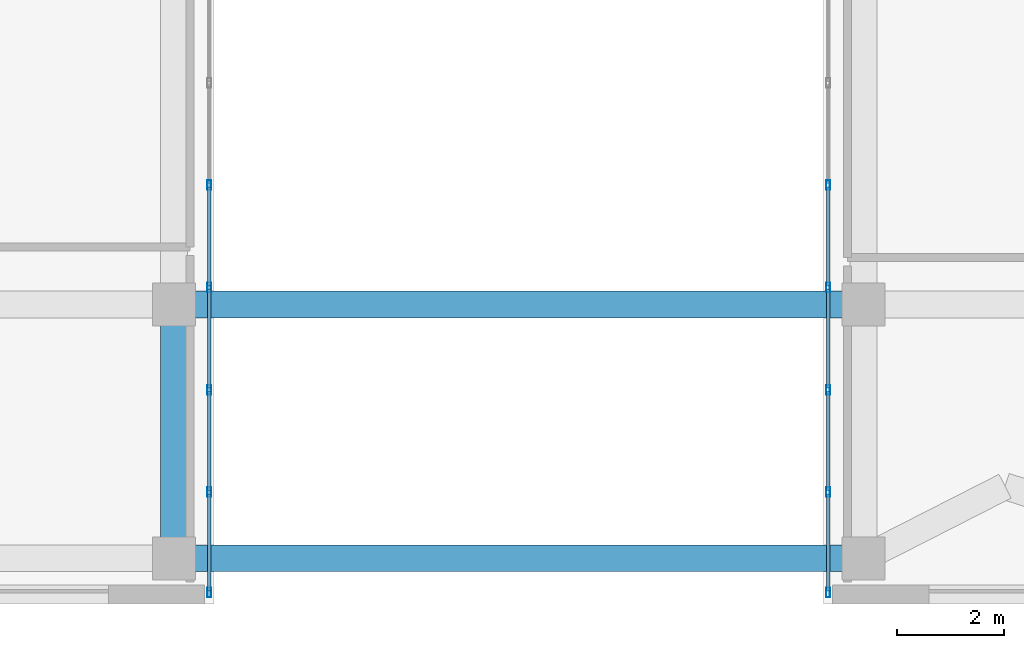
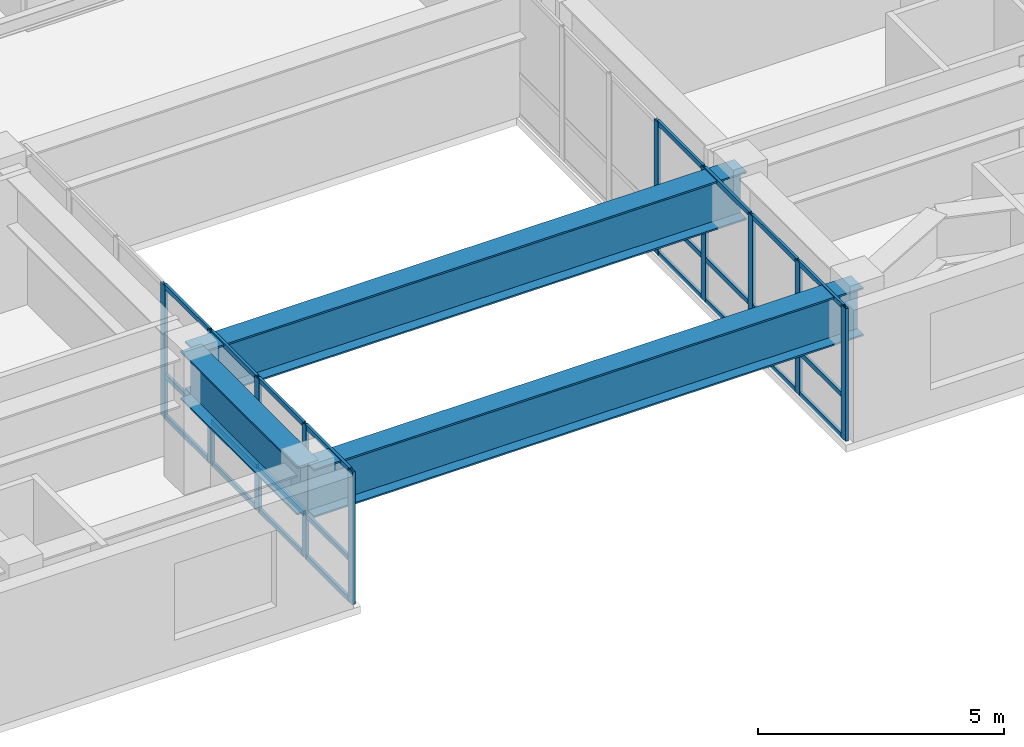
# One storey, part 3 of 13: 34 members, 3 beams, 2 elements without a shape of their own.
"""IFC4 building model written with IfcOpenShell, lengths in metres."""

from ifc_helpers import new_model, si_unit, direction, frame, origin, origin_2d, place, context, subcontext, project, spatial, hollow_rectangle, i_section, extrude, source, transform, mapped, material, layer, layer_set, material_profile, profile_set, type_object, type_shapes, element, aggregate, save


model = new_model("IFC4")

# Units and contexts
model_context = context("Model", 3, precision=1e-05, world=origin(), true_north=direction((0.0, 1.0)))
body_context = subcontext(model_context, "Body", "Model", "MODEL_VIEW")
ifc_project = project(units=[si_unit("LENGTHUNIT", "METRE"), si_unit("AREAUNIT", "SQUARE_METRE"), si_unit("VOLUMEUNIT", "CUBIC_METRE"), si_unit("PLANEANGLEUNIT", "RADIAN"), si_unit("MASSUNIT", "GRAM", prefix="KILO")], contexts=[model_context])

# Site, building, storey
site_placement = place(None, origin())
site = spatial("IfcSite", under=ifc_project, at=site_placement, CompositionType="ELEMENT")
building_placement = place(site_placement, origin())
building = spatial("IfcBuilding", under=site, at=building_placement, Name="Tolvann Quenvar Hotel", CompositionType="ELEMENT")
storey_placement = place(building_placement, frame((0.0, 0.0, 201.75)))
storey = spatial("IfcBuildingStorey", under=building, at=storey_placement, Name="L53", CompositionType="ELEMENT", Elevation=201.75)

# Beams
ifc_material_1 = material(Name="Steel Grade 350", Category="steel")
ifc_material_profile_1 = material_profile(ifc_material_1, i_section(OverallWidth=0.5, OverallDepth=1.199951171875, WebThickness=0.01611328125, FlangeThickness=0.0400390625, at=origin_2d()), Name="1200WB455")
ifc_profile_set_1 = profile_set([ifc_material_profile_1], Name="Steel Grade 350")
beam_type = type_object("IfcBeamType", Name="BM_TG_1200WB455", PredefinedType="USERDEFINED", material=ifc_profile_set_1)
shared_shape_1 = source(origin(), body_context, "Body", "SweptSolid", [
    extrude(i_section(OverallWidth=0.5, OverallDepth=1.199951171875, WebThickness=0.01611328125, FlangeThickness=0.0400390625, at=origin_2d()), origin(), (0.0, 0.0, 1.0), 12.89990234375),
])
for number, where, z_axis, x_axis, name in (
    (1, (22.050048828125, 3.449951171875, 2.68994140625), (1.0, 0.0, 0.0), (0.0, 1.0, 0.0), "Setback Transfer Girder L53-M2"),
    (2, (22.050048828125, 8.199951171875, 2.68994140625), (1.0, 0.0, 0.0), (0.0, 1.0, 0.0), "Setback Transfer Girder L53-M3"),
):
    element("IfcBeam", number, at=place(storey_placement, frame(where, z_axis=z_axis, x_axis=x_axis)), inside=storey, type_object=beam_type, Name=name, ObjectType="TRANSFER GIRDER", PredefinedType="USERDEFINED", context=body_context, shape_type="MappedRepresentation", body=[
        mapped(shared_shape_1, transform((0.0, 0.0, 0.0), x_axis=(1.0, 0.0, 0.0), y_axis=(0.0, 1.0, 0.0), z_axis=(0.0, 0.0, 1.0), scale=1.0)),
    ])
shared_shape_2 = source(origin(), body_context, "Body", "SweptSolid", [
    extrude(i_section(OverallWidth=0.5, OverallDepth=1.199951171875, WebThickness=0.01611328125, FlangeThickness=0.0400390625, at=origin_2d()), origin(), (0.0, 0.0, 1.0), 4.75),
])
type_shapes(beam_type, [shared_shape_1, shared_shape_2])
beam_placement = place(storey_placement, frame((22.050048828125, 3.449951171875, 2.68994140625), z_axis=(0.0, 1.0, 0.0), x_axis=(-1.0, 0.0, 0.0)))
element("IfcBeam", 3, at=beam_placement, inside=storey, type_object=beam_type, Name="BM-L53-NS-E2-E3", ObjectType="TRANSFER GIRDER", PredefinedType="USERDEFINED", context=body_context, shape_type="MappedRepresentation", body=[
    mapped(shared_shape_2, transform((0.0, 0.0, 0.0), x_axis=(1.0, 0.0, 0.0), y_axis=(0.0, 1.0, 0.0), z_axis=(0.0, 0.0, 1.0), scale=1.0)),
])

# Curtain wall, members
ifc_material_2 = material(Name="Thermally broken anodised architectural aluminium 6063-T6 and laminated low-E glass", Category="aluminium")
ifc_layer = layer(ifc_material_2, 0.179931640625)
ifc_layer_set = layer_set([ifc_layer], Name="Thermally broken anodised architectural aluminium 6063-T6 and laminated low-E glass")
curtain_wall_type = type_object("IfcCurtainWallType", Name="CW_SYS_SLOT_03", PredefinedType="USERDEFINED", material=ifc_layer_set)
curtain_wall_1_placement = place(storey_placement, origin())
curtain_wall_1 = element("IfcCurtainWall", 4, at=curtain_wall_1_placement, inside=storey, type_object=curtain_wall_type, Name="Curtain Wall CW-SLOT-03 (CWR-L53-E05)", ObjectType="UNITISED CURTAIN WALL", PredefinedType="USERDEFINED")
ifc_material_3 = material(Name="Anodised architectural aluminium 6063-T6 framing", Category="aluminium")
ifc_material_profile_2 = material_profile(ifc_material_3, hollow_rectangle(XDim=0.070068359375, YDim=0.179931640625, WallThickness=0.00390625, at=origin_2d()), Name="180x70x4RHS")
ifc_profile_set_2 = profile_set([ifc_material_profile_2], Name="Anodised architectural aluminium 6063-T6 framing")
member_type_1 = type_object("IfcMemberType", Name="CW_MULL_180x70", PredefinedType="MULLION", material=ifc_profile_set_2)
shared_shape_3 = source(origin(), body_context, "Body", "SweptSolid", [
    extrude(hollow_rectangle(XDim=0.070068359375, YDim=0.179931640625, WallThickness=0.00390625, at=origin_2d()), origin(), (0.0, 0.0, 1.0), 3.2900390625),
])
type_shapes(member_type_1, [shared_shape_3])
member_1_placement = place(storey_placement, frame((22.7099609375, 2.81005859375, 0.0), z_axis=(0.0, 0.0, 1.0), x_axis=(-1.0, 0.0, 0.0)))
member_1 = element("IfcMember", 5, at=member_1_placement, type_object=member_type_1, Name="CW-SLOT-03 mullion 1", PredefinedType="MULLION", context=body_context, shape_type="MappedRepresentation", body=[
    mapped(shared_shape_3, transform((0.0, 0.0, 0.0), x_axis=(1.0, 0.0, 0.0), y_axis=(0.0, 1.0, 0.0), z_axis=(0.0, 0.0, 1.0), scale=1.0)),
])
member_2_placement = place(storey_placement, frame((22.7099609375, 4.689208984375, 0.0), z_axis=(0.0, 0.0, 1.0), x_axis=(-1.0, 0.0, 0.0)))
member_2 = element("IfcMember", 6, at=member_2_placement, type_object=member_type_1, Name="CW-SLOT-03 mullion 2", PredefinedType="MULLION", context=body_context, shape_type="MappedRepresentation", body=[
    mapped(shared_shape_3, transform((0.0, 0.0, 0.0), x_axis=(1.0, 0.0, 0.0), y_axis=(0.0, 1.0, 0.0), z_axis=(0.0, 0.0, 1.0), scale=1.0)),
])
member_3_placement = place(storey_placement, frame((22.7099609375, 6.603515625, 0.0), z_axis=(0.0, 0.0, 1.0), x_axis=(-1.0, 0.0, 0.0)))
member_3 = element("IfcMember", 7, at=member_3_placement, type_object=member_type_1, Name="CW-SLOT-03 mullion 3", PredefinedType="MULLION", context=body_context, shape_type="MappedRepresentation", body=[
    mapped(shared_shape_3, transform((0.0, 0.0, 0.0), x_axis=(1.0, 0.0, 0.0), y_axis=(0.0, 1.0, 0.0), z_axis=(0.0, 0.0, 1.0), scale=1.0)),
])
member_4_placement = place(storey_placement, frame((22.7099609375, 8.517822265625, 0.0), z_axis=(0.0, 0.0, 1.0), x_axis=(-1.0, 0.0, 0.0)))
member_4 = element("IfcMember", 8, at=member_4_placement, type_object=member_type_1, Name="CW-SLOT-03 mullion 4", PredefinedType="MULLION", context=body_context, shape_type="MappedRepresentation", body=[
    mapped(shared_shape_3, transform((0.0, 0.0, 0.0), x_axis=(1.0, 0.0, 0.0), y_axis=(0.0, 1.0, 0.0), z_axis=(0.0, 0.0, 1.0), scale=1.0)),
])
member_5_placement = place(storey_placement, frame((22.7099609375, 10.43212890625, 0.0), z_axis=(0.0, 0.0, 1.0), x_axis=(-1.0, 0.0, 0.0)))
member_5 = element("IfcMember", 9, at=member_5_placement, type_object=member_type_1, Name="CW-SLOT-03 mullion 5", PredefinedType="MULLION", context=body_context, shape_type="MappedRepresentation", body=[
    mapped(shared_shape_3, transform((0.0, 0.0, 0.0), x_axis=(1.0, 0.0, 0.0), y_axis=(0.0, 1.0, 0.0), z_axis=(0.0, 0.0, 1.0), scale=1.0)),
])

curtain_wall_2_placement = place(storey_placement, origin())
curtain_wall_2 = element("IfcCurtainWall", 10, at=curtain_wall_2_placement, inside=storey, type_object=curtain_wall_type, Name="Curtain Wall CW-SLOT-03 (CWR-L53-E07)", ObjectType="UNITISED CURTAIN WALL", PredefinedType="USERDEFINED")
member_6_placement = place(storey_placement, frame((34.2900390625, 10.43212890625, 0.0), z_axis=(0.0, 0.0, 1.0), x_axis=(1.0, 0.0, 0.0)))
member_6 = element("IfcMember", 11, at=member_6_placement, type_object=member_type_1, Name="CW-SLOT-03 mullion 4", PredefinedType="MULLION", context=body_context, shape_type="MappedRepresentation", body=[
    mapped(shared_shape_3, transform((0.0, 0.0, 0.0), x_axis=(1.0, 0.0, 0.0), y_axis=(0.0, 1.0, 0.0), z_axis=(0.0, 0.0, 1.0), scale=1.0)),
])
member_7_placement = place(storey_placement, frame((34.2900390625, 8.517822265625, 0.0), z_axis=(0.0, 0.0, 1.0), x_axis=(1.0, 0.0, 0.0)))
member_7 = element("IfcMember", 12, at=member_7_placement, type_object=member_type_1, Name="CW-SLOT-03 mullion 5", PredefinedType="MULLION", context=body_context, shape_type="MappedRepresentation", body=[
    mapped(shared_shape_3, transform((0.0, 0.0, 0.0), x_axis=(1.0, 0.0, 0.0), y_axis=(0.0, 1.0, 0.0), z_axis=(0.0, 0.0, 1.0), scale=1.0)),
])
member_8_placement = place(storey_placement, frame((34.2900390625, 6.603515625, 0.0), z_axis=(0.0, 0.0, 1.0), x_axis=(1.0, 0.0, 0.0)))
member_8 = element("IfcMember", 13, at=member_8_placement, type_object=member_type_1, Name="CW-SLOT-03 mullion 6", PredefinedType="MULLION", context=body_context, shape_type="MappedRepresentation", body=[
    mapped(shared_shape_3, transform((0.0, 0.0, 0.0), x_axis=(1.0, 0.0, 0.0), y_axis=(0.0, 1.0, 0.0), z_axis=(0.0, 0.0, 1.0), scale=1.0)),
])
member_9_placement = place(storey_placement, frame((34.2900390625, 4.689208984375, 0.0), z_axis=(0.0, 0.0, 1.0), x_axis=(1.0, 0.0, 0.0)))
member_9 = element("IfcMember", 14, at=member_9_placement, type_object=member_type_1, Name="CW-SLOT-03 mullion 7", PredefinedType="MULLION", context=body_context, shape_type="MappedRepresentation", body=[
    mapped(shared_shape_3, transform((0.0, 0.0, 0.0), x_axis=(1.0, 0.0, 0.0), y_axis=(0.0, 1.0, 0.0), z_axis=(0.0, 0.0, 1.0), scale=1.0)),
])
member_10_placement = place(storey_placement, frame((34.2900390625, 2.81005859375, 0.0), z_axis=(0.0, 0.0, 1.0), x_axis=(1.0, 0.0, 0.0)))
member_10 = element("IfcMember", 15, at=member_10_placement, type_object=member_type_1, Name="CW-SLOT-03 mullion 8", PredefinedType="MULLION", context=body_context, shape_type="MappedRepresentation", body=[
    mapped(shared_shape_3, transform((0.0, 0.0, 0.0), x_axis=(1.0, 0.0, 0.0), y_axis=(0.0, 1.0, 0.0), z_axis=(0.0, 0.0, 1.0), scale=1.0)),
])

# Member
ifc_material_profile_3 = material_profile(ifc_material_3, hollow_rectangle(XDim=0.06005859375, YDim=0.1201171875, WallThickness=0.00341796875, at=origin_2d()), Name="120x60x3.5RHS")
ifc_profile_set_3 = profile_set([ifc_material_profile_3], Name="Anodised architectural aluminium 6063-T6 framing")
member_type_2 = type_object("IfcMemberType", Name="CW_TRAN_120x60", PredefinedType="USERDEFINED", material=ifc_profile_set_3)
shared_shape_4 = source(origin(), body_context, "Body", "SweptSolid", [
    extrude(hollow_rectangle(XDim=0.06005859375, YDim=0.1201171875, WallThickness=0.00341796875, at=origin_2d()), origin(), (0.0, 0.0, 1.0), 1.809326171875),
])
member_11_placement = place(storey_placement, frame((22.7099609375, 2.844970703125, 0.030029296875), z_axis=(0.0, 1.0, 0.0), x_axis=(-1.0, 0.0, 0.0)))
member_11 = element("IfcMember", 16, at=member_11_placement, type_object=member_type_2, Name="CW-SLOT-03 transom 1.1", ObjectType="TRANSOM", PredefinedType="USERDEFINED", context=body_context, shape_type="MappedRepresentation", body=[
    mapped(shared_shape_4, transform((0.0, 0.0, 0.0), x_axis=(1.0, 0.0, 0.0), y_axis=(0.0, 1.0, 0.0), z_axis=(0.0, 0.0, 1.0), scale=1.0)),
])

member_12_placement = place(storey_placement, frame((22.7099609375, 2.844970703125, 1.050048828125), z_axis=(0.0, 1.0, 0.0), x_axis=(-1.0, 0.0, 0.0)))
member_12 = element("IfcMember", 17, at=member_12_placement, type_object=member_type_2, Name="CW-SLOT-03 transom 1.2", ObjectType="TRANSOM", PredefinedType="USERDEFINED", context=body_context, shape_type="MappedRepresentation", body=[
    mapped(shared_shape_4, transform((0.0, 0.0, 0.0), x_axis=(1.0, 0.0, 0.0), y_axis=(0.0, 1.0, 0.0), z_axis=(0.0, 0.0, 1.0), scale=1.0)),
])

member_13_placement = place(storey_placement, frame((22.7099609375, 2.844970703125, 3.260009765625), z_axis=(0.0, 1.0, 0.0), x_axis=(-1.0, 0.0, 0.0)))
member_13 = element("IfcMember", 18, at=member_13_placement, type_object=member_type_2, Name="CW-SLOT-03 transom 1.3", ObjectType="TRANSOM", PredefinedType="USERDEFINED", context=body_context, shape_type="MappedRepresentation", body=[
    mapped(shared_shape_4, transform((0.0, 0.0, 0.0), x_axis=(1.0, 0.0, 0.0), y_axis=(0.0, 1.0, 0.0), z_axis=(0.0, 0.0, 1.0), scale=1.0)),
])

member_14_placement = place(storey_placement, frame((34.2900390625, 4.654296875, 0.030029296875), z_axis=(0.0, -1.0, 0.0), x_axis=(1.0, 0.0, 0.0)))
member_14 = element("IfcMember", 19, at=member_14_placement, type_object=member_type_2, Name="CW-SLOT-03 transom 7.1", ObjectType="TRANSOM", PredefinedType="USERDEFINED", context=body_context, shape_type="MappedRepresentation", body=[
    mapped(shared_shape_4, transform((0.0, 0.0, 0.0), x_axis=(1.0, 0.0, 0.0), y_axis=(0.0, 1.0, 0.0), z_axis=(0.0, 0.0, 1.0), scale=1.0)),
])

member_15_placement = place(storey_placement, frame((34.2900390625, 4.654296875, 1.050048828125), z_axis=(0.0, -1.0, 0.0), x_axis=(1.0, 0.0, 0.0)))
member_15 = element("IfcMember", 20, at=member_15_placement, type_object=member_type_2, Name="CW-SLOT-03 transom 7.2", ObjectType="TRANSOM", PredefinedType="USERDEFINED", context=body_context, shape_type="MappedRepresentation", body=[
    mapped(shared_shape_4, transform((0.0, 0.0, 0.0), x_axis=(1.0, 0.0, 0.0), y_axis=(0.0, 1.0, 0.0), z_axis=(0.0, 0.0, 1.0), scale=1.0)),
])

member_16_placement = place(storey_placement, frame((34.2900390625, 4.654296875, 3.260009765625), z_axis=(0.0, -1.0, 0.0), x_axis=(1.0, 0.0, 0.0)))
member_16 = element("IfcMember", 21, at=member_16_placement, type_object=member_type_2, Name="CW-SLOT-03 transom 7.3", ObjectType="TRANSOM", PredefinedType="USERDEFINED", context=body_context, shape_type="MappedRepresentation", body=[
    mapped(shared_shape_4, transform((0.0, 0.0, 0.0), x_axis=(1.0, 0.0, 0.0), y_axis=(0.0, 1.0, 0.0), z_axis=(0.0, 0.0, 1.0), scale=1.0)),
])

shared_shape_5 = source(origin(), body_context, "Body", "SweptSolid", [
    extrude(hollow_rectangle(XDim=0.06005859375, YDim=0.1201171875, WallThickness=0.00341796875, at=origin_2d()), origin(), (0.0, 0.0, 1.0), 1.84423828125),
])
type_shapes(member_type_2, [shared_shape_4, shared_shape_5])
member_17_placement = place(storey_placement, frame((22.7099609375, 4.724365234375, 0.030029296875), z_axis=(0.0, 1.0, 0.0), x_axis=(-1.0, 0.0, 0.0)))
member_17 = element("IfcMember", 22, at=member_17_placement, type_object=member_type_2, Name="CW-SLOT-03 transom 2.1", ObjectType="TRANSOM", PredefinedType="USERDEFINED", context=body_context, shape_type="MappedRepresentation", body=[
    mapped(shared_shape_5, transform((0.0, 0.0, 0.0), x_axis=(1.0, 0.0, 0.0), y_axis=(0.0, 1.0, 0.0), z_axis=(0.0, 0.0, 1.0), scale=1.0)),
])

member_18_placement = place(storey_placement, frame((22.7099609375, 4.724365234375, 1.050048828125), z_axis=(0.0, 1.0, 0.0), x_axis=(-1.0, 0.0, 0.0)))
member_18 = element("IfcMember", 23, at=member_18_placement, type_object=member_type_2, Name="CW-SLOT-03 transom 2.2", ObjectType="TRANSOM", PredefinedType="USERDEFINED", context=body_context, shape_type="MappedRepresentation", body=[
    mapped(shared_shape_5, transform((0.0, 0.0, 0.0), x_axis=(1.0, 0.0, 0.0), y_axis=(0.0, 1.0, 0.0), z_axis=(0.0, 0.0, 1.0), scale=1.0)),
])

member_19_placement = place(storey_placement, frame((22.7099609375, 4.724365234375, 3.260009765625), z_axis=(0.0, 1.0, 0.0), x_axis=(-1.0, 0.0, 0.0)))
member_19 = element("IfcMember", 24, at=member_19_placement, type_object=member_type_2, Name="CW-SLOT-03 transom 2.3", ObjectType="TRANSOM", PredefinedType="USERDEFINED", context=body_context, shape_type="MappedRepresentation", body=[
    mapped(shared_shape_5, transform((0.0, 0.0, 0.0), x_axis=(1.0, 0.0, 0.0), y_axis=(0.0, 1.0, 0.0), z_axis=(0.0, 0.0, 1.0), scale=1.0)),
])

member_20_placement = place(storey_placement, frame((22.7099609375, 6.638671875, 0.030029296875), z_axis=(0.0, 1.0, 0.0), x_axis=(-1.0, 0.0, 0.0)))
member_20 = element("IfcMember", 25, at=member_20_placement, type_object=member_type_2, Name="CW-SLOT-03 transom 3.1", ObjectType="TRANSOM", PredefinedType="USERDEFINED", context=body_context, shape_type="MappedRepresentation", body=[
    mapped(shared_shape_5, transform((0.0, 0.0, 0.0), x_axis=(1.0, 0.0, 0.0), y_axis=(0.0, 1.0, 0.0), z_axis=(0.0, 0.0, 1.0), scale=1.0)),
])

member_21_placement = place(storey_placement, frame((22.7099609375, 6.638671875, 1.050048828125), z_axis=(0.0, 1.0, 0.0), x_axis=(-1.0, 0.0, 0.0)))
member_21 = element("IfcMember", 26, at=member_21_placement, type_object=member_type_2, Name="CW-SLOT-03 transom 3.2", ObjectType="TRANSOM", PredefinedType="USERDEFINED", context=body_context, shape_type="MappedRepresentation", body=[
    mapped(shared_shape_5, transform((0.0, 0.0, 0.0), x_axis=(1.0, 0.0, 0.0), y_axis=(0.0, 1.0, 0.0), z_axis=(0.0, 0.0, 1.0), scale=1.0)),
])

member_22_placement = place(storey_placement, frame((22.7099609375, 6.638671875, 3.260009765625), z_axis=(0.0, 1.0, 0.0), x_axis=(-1.0, 0.0, 0.0)))
member_22 = element("IfcMember", 27, at=member_22_placement, type_object=member_type_2, Name="CW-SLOT-03 transom 3.3", ObjectType="TRANSOM", PredefinedType="USERDEFINED", context=body_context, shape_type="MappedRepresentation", body=[
    mapped(shared_shape_5, transform((0.0, 0.0, 0.0), x_axis=(1.0, 0.0, 0.0), y_axis=(0.0, 1.0, 0.0), z_axis=(0.0, 0.0, 1.0), scale=1.0)),
])

member_23_placement = place(storey_placement, frame((22.7099609375, 8.552978515625, 0.030029296875), z_axis=(0.0, 1.0, 0.0), x_axis=(-1.0, 0.0, 0.0)))
member_23 = element("IfcMember", 28, at=member_23_placement, type_object=member_type_2, Name="CW-SLOT-03 transom 4.1", ObjectType="TRANSOM", PredefinedType="USERDEFINED", context=body_context, shape_type="MappedRepresentation", body=[
    mapped(shared_shape_5, transform((0.0, 0.0, 0.0), x_axis=(1.0, 0.0, 0.0), y_axis=(0.0, 1.0, 0.0), z_axis=(0.0, 0.0, 1.0), scale=1.0)),
])

member_24_placement = place(storey_placement, frame((22.7099609375, 8.552978515625, 1.050048828125), z_axis=(0.0, 1.0, 0.0), x_axis=(-1.0, 0.0, 0.0)))
member_24 = element("IfcMember", 29, at=member_24_placement, type_object=member_type_2, Name="CW-SLOT-03 transom 4.2", ObjectType="TRANSOM", PredefinedType="USERDEFINED", context=body_context, shape_type="MappedRepresentation", body=[
    mapped(shared_shape_5, transform((0.0, 0.0, 0.0), x_axis=(1.0, 0.0, 0.0), y_axis=(0.0, 1.0, 0.0), z_axis=(0.0, 0.0, 1.0), scale=1.0)),
])

member_25_placement = place(storey_placement, frame((22.7099609375, 8.552978515625, 3.260009765625), z_axis=(0.0, 1.0, 0.0), x_axis=(-1.0, 0.0, 0.0)))
member_25 = element("IfcMember", 30, at=member_25_placement, type_object=member_type_2, Name="CW-SLOT-03 transom 4.3", ObjectType="TRANSOM", PredefinedType="USERDEFINED", context=body_context, shape_type="MappedRepresentation", body=[
    mapped(shared_shape_5, transform((0.0, 0.0, 0.0), x_axis=(1.0, 0.0, 0.0), y_axis=(0.0, 1.0, 0.0), z_axis=(0.0, 0.0, 1.0), scale=1.0)),
])

aggregate(curtain_wall_1, [member_1, member_2, member_3, member_4, member_5, member_11, member_12, member_13, member_17, member_18, member_19, member_20, member_21, member_22, member_23, member_24, member_25])

member_26_placement = place(storey_placement, frame((34.2900390625, 10.397216796875, 0.030029296875), z_axis=(0.0, -1.0, 0.0), x_axis=(1.0, 0.0, 0.0)))
member_26 = element("IfcMember", 31, at=member_26_placement, type_object=member_type_2, Name="CW-SLOT-03 transom 4.1", ObjectType="TRANSOM", PredefinedType="USERDEFINED", context=body_context, shape_type="MappedRepresentation", body=[
    mapped(shared_shape_5, transform((0.0, 0.0, 0.0), x_axis=(1.0, 0.0, 0.0), y_axis=(0.0, 1.0, 0.0), z_axis=(0.0, 0.0, 1.0), scale=1.0)),
])

member_27_placement = place(storey_placement, frame((34.2900390625, 10.397216796875, 1.050048828125), z_axis=(0.0, -1.0, 0.0), x_axis=(1.0, 0.0, 0.0)))
member_27 = element("IfcMember", 32, at=member_27_placement, type_object=member_type_2, Name="CW-SLOT-03 transom 4.2", ObjectType="TRANSOM", PredefinedType="USERDEFINED", context=body_context, shape_type="MappedRepresentation", body=[
    mapped(shared_shape_5, transform((0.0, 0.0, 0.0), x_axis=(1.0, 0.0, 0.0), y_axis=(0.0, 1.0, 0.0), z_axis=(0.0, 0.0, 1.0), scale=1.0)),
])

member_28_placement = place(storey_placement, frame((34.2900390625, 10.397216796875, 3.260009765625), z_axis=(0.0, -1.0, 0.0), x_axis=(1.0, 0.0, 0.0)))
member_28 = element("IfcMember", 33, at=member_28_placement, type_object=member_type_2, Name="CW-SLOT-03 transom 4.3", ObjectType="TRANSOM", PredefinedType="USERDEFINED", context=body_context, shape_type="MappedRepresentation", body=[
    mapped(shared_shape_5, transform((0.0, 0.0, 0.0), x_axis=(1.0, 0.0, 0.0), y_axis=(0.0, 1.0, 0.0), z_axis=(0.0, 0.0, 1.0), scale=1.0)),
])

member_29_placement = place(storey_placement, frame((34.2900390625, 8.48291015625, 0.030029296875), z_axis=(0.0, -1.0, 0.0), x_axis=(1.0, 0.0, 0.0)))
member_29 = element("IfcMember", 34, at=member_29_placement, type_object=member_type_2, Name="CW-SLOT-03 transom 5.1", ObjectType="TRANSOM", PredefinedType="USERDEFINED", context=body_context, shape_type="MappedRepresentation", body=[
    mapped(shared_shape_5, transform((0.0, 0.0, 0.0), x_axis=(1.0, 0.0, 0.0), y_axis=(0.0, 1.0, 0.0), z_axis=(0.0, 0.0, 1.0), scale=1.0)),
])

member_30_placement = place(storey_placement, frame((34.2900390625, 8.48291015625, 1.050048828125), z_axis=(0.0, -1.0, 0.0), x_axis=(1.0, 0.0, 0.0)))
member_30 = element("IfcMember", 35, at=member_30_placement, type_object=member_type_2, Name="CW-SLOT-03 transom 5.2", ObjectType="TRANSOM", PredefinedType="USERDEFINED", context=body_context, shape_type="MappedRepresentation", body=[
    mapped(shared_shape_5, transform((0.0, 0.0, 0.0), x_axis=(1.0, 0.0, 0.0), y_axis=(0.0, 1.0, 0.0), z_axis=(0.0, 0.0, 1.0), scale=1.0)),
])

member_31_placement = place(storey_placement, frame((34.2900390625, 8.48291015625, 3.260009765625), z_axis=(0.0, -1.0, 0.0), x_axis=(1.0, 0.0, 0.0)))
member_31 = element("IfcMember", 36, at=member_31_placement, type_object=member_type_2, Name="CW-SLOT-03 transom 5.3", ObjectType="TRANSOM", PredefinedType="USERDEFINED", context=body_context, shape_type="MappedRepresentation", body=[
    mapped(shared_shape_5, transform((0.0, 0.0, 0.0), x_axis=(1.0, 0.0, 0.0), y_axis=(0.0, 1.0, 0.0), z_axis=(0.0, 0.0, 1.0), scale=1.0)),
])

member_32_placement = place(storey_placement, frame((34.2900390625, 6.568603515625, 0.030029296875), z_axis=(0.0, -1.0, 0.0), x_axis=(1.0, 0.0, 0.0)))
member_32 = element("IfcMember", 37, at=member_32_placement, type_object=member_type_2, Name="CW-SLOT-03 transom 6.1", ObjectType="TRANSOM", PredefinedType="USERDEFINED", context=body_context, shape_type="MappedRepresentation", body=[
    mapped(shared_shape_5, transform((0.0, 0.0, 0.0), x_axis=(1.0, 0.0, 0.0), y_axis=(0.0, 1.0, 0.0), z_axis=(0.0, 0.0, 1.0), scale=1.0)),
])

member_33_placement = place(storey_placement, frame((34.2900390625, 6.568603515625, 1.050048828125), z_axis=(0.0, -1.0, 0.0), x_axis=(1.0, 0.0, 0.0)))
member_33 = element("IfcMember", 38, at=member_33_placement, type_object=member_type_2, Name="CW-SLOT-03 transom 6.2", ObjectType="TRANSOM", PredefinedType="USERDEFINED", context=body_context, shape_type="MappedRepresentation", body=[
    mapped(shared_shape_5, transform((0.0, 0.0, 0.0), x_axis=(1.0, 0.0, 0.0), y_axis=(0.0, 1.0, 0.0), z_axis=(0.0, 0.0, 1.0), scale=1.0)),
])

member_34_placement = place(storey_placement, frame((34.2900390625, 6.568603515625, 3.260009765625), z_axis=(0.0, -1.0, 0.0), x_axis=(1.0, 0.0, 0.0)))
member_34 = element("IfcMember", 39, at=member_34_placement, type_object=member_type_2, Name="CW-SLOT-03 transom 6.3", ObjectType="TRANSOM", PredefinedType="USERDEFINED", context=body_context, shape_type="MappedRepresentation", body=[
    mapped(shared_shape_5, transform((0.0, 0.0, 0.0), x_axis=(1.0, 0.0, 0.0), y_axis=(0.0, 1.0, 0.0), z_axis=(0.0, 0.0, 1.0), scale=1.0)),
])

aggregate(curtain_wall_2, [member_6, member_7, member_8, member_9, member_10, member_26, member_27, member_28, member_29, member_30, member_31, member_32, member_33, member_34, member_14, member_15, member_16])

save(model, "model.ifc")
